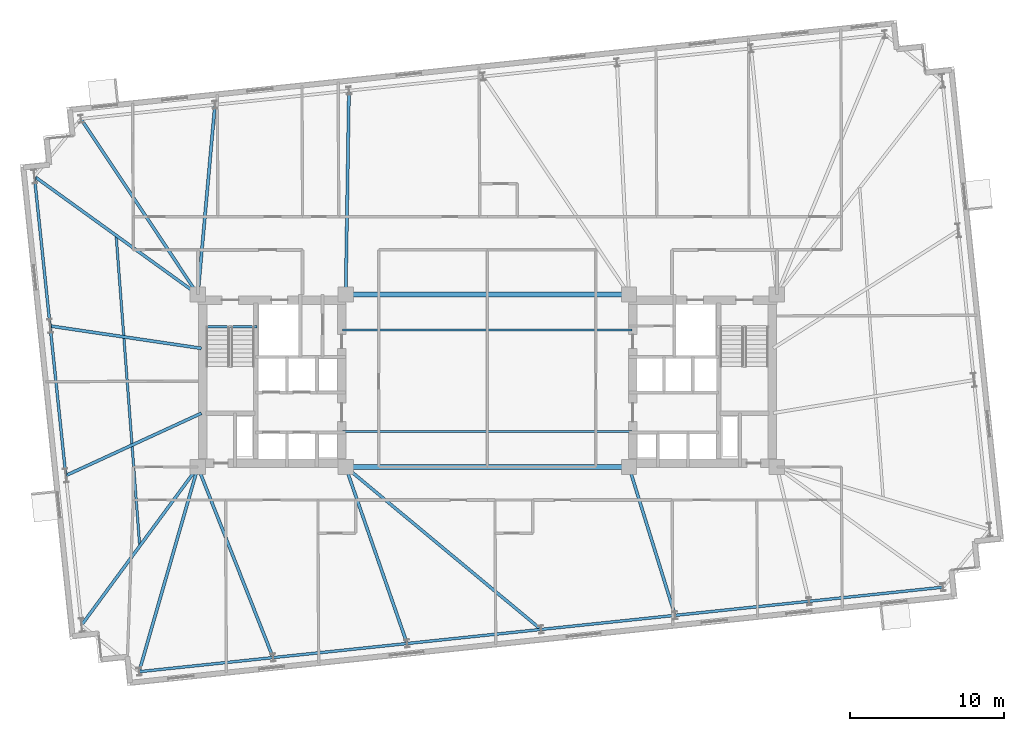
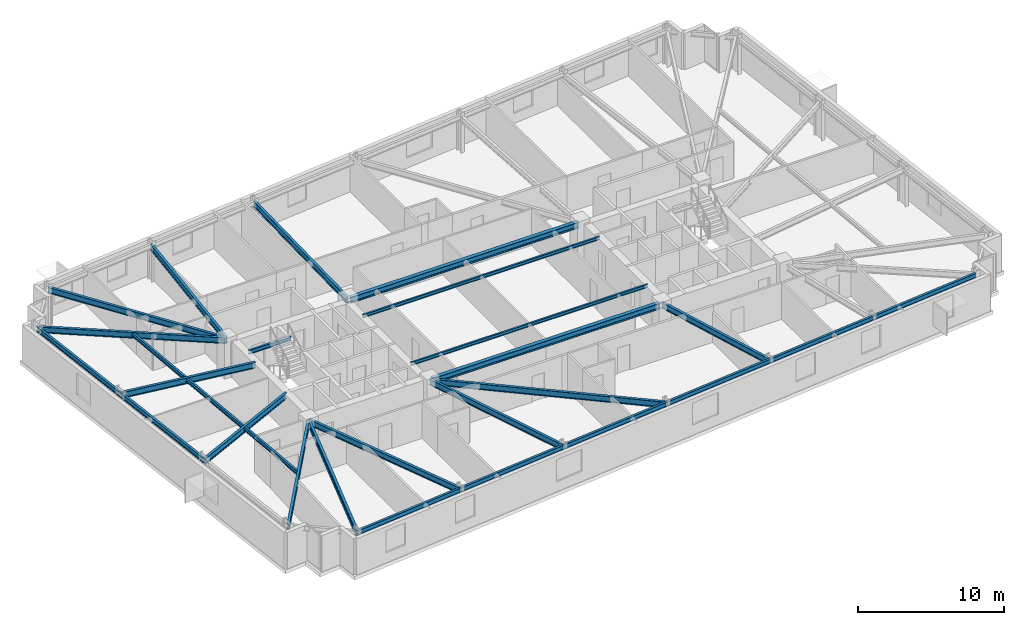
# One storey, part 5 of 17: 26 beams.
"""IFC4 building model written with IfcOpenShell, lengths in metres."""

from ifc_helpers import new_model, si_unit, direction, frame, origin, origin_2d, place, context, subcontext, project, spatial, i_section, extrude, material, material_profile, profile_set, type_object, element, save


model = new_model("IFC4")

# Units and contexts
model_context = context("Model", 3, precision=1e-05, world=origin(), true_north=direction((0.0, 1.0)))
body_context = subcontext(model_context, "Body", "Model", "MODEL_VIEW")
ifc_project = project(units=[si_unit("LENGTHUNIT", "METRE"), si_unit("AREAUNIT", "SQUARE_METRE"), si_unit("VOLUMEUNIT", "CUBIC_METRE"), si_unit("PLANEANGLEUNIT", "RADIAN"), si_unit("MASSUNIT", "GRAM", prefix="KILO")], contexts=[model_context])

# Site, building, storey
site_placement = place(None, origin())
site = spatial("IfcSite", under=ifc_project, at=site_placement, CompositionType="ELEMENT")
building_placement = place(site_placement, origin())
building = spatial("IfcBuilding", under=site, at=building_placement, Name="Qobustan Lattice House", CompositionType="ELEMENT")
storey_placement = place(building_placement, frame((0.0, 0.0, 112.5)))
storey = spatial("IfcBuildingStorey", under=building, at=storey_placement, Name="L31", CompositionType="ELEMENT", Elevation=112.5)

# Beams
ifc_material_1 = material(Name="Steel S355", Category="steel")
ifc_material_profile_1 = material_profile(ifc_material_1, i_section(OverallWidth=0.300048828125, OverallDepth=0.5, WebThickness=0.014404296875, FlangeThickness=0.028076171875, FilletRadius=0.027099609375, at=origin_2d()), Name="HEB500")
ifc_profile_set_1 = profile_set([ifc_material_profile_1], Name="Steel S355")
beam_type_1 = type_object("IfcBeamType", Name="BM-CG-HEB500", PredefinedType="USERDEFINED", material=ifc_profile_set_1)
for number, where, z_axis, x_axis, name in (
    (1, (-9.050048828125, -5.60009765625, 2.794921875), (1.0, 0.0, 0.0), (0.0, 1.0, 0.0), "L31 core spine girder CG-CS"),
    (2, (-9.050048828125, 5.60009765625, 2.794921875), (1.0, 0.0, 0.0), (0.0, 1.0, 0.0), "L31 core spine girder CG-CN"),
):
    element("IfcBeam", number, at=place(storey_placement, frame(where, z_axis=z_axis, x_axis=x_axis)), inside=storey, type_object=beam_type_1, Name=name, ObjectType="GIRDER", PredefinedType="USERDEFINED", context=body_context, shape_type="SweptSolid", body=[
        extrude(i_section(OverallWidth=0.300048828125, OverallDepth=0.5, WebThickness=0.014404296875, FlangeThickness=0.028076171875, FilletRadius=0.027099609375, at=origin_2d()), origin(), (0.0, 0.0, 1.0), 18.10009765625),
    ])
ifc_material_2 = material(Name="Steel S355", Category="steel")
ifc_material_profile_2 = material_profile(ifc_material_2, i_section(OverallWidth=0.199951171875, OverallDepth=0.5, WebThickness=0.01025390625, FlangeThickness=0.01611328125, FilletRadius=0.02099609375, at=origin_2d()), Name="IPE500")
ifc_profile_set_2 = profile_set([ifc_material_profile_2], Name="Steel S355")
beam_type_2 = type_object("IfcBeamType", Name="BM-FLG-IPE500", PredefinedType="USERDEFINED", material=ifc_profile_set_2)
beam_1_placement = place(storey_placement, frame((-22.612548828125, -18.87109375, 2.794921875), z_axis=(0.276115177845, 0.961124554136, 0.0), x_axis=(-0.961124554136, 0.276115177845, 0.0)))
element("IfcBeam", 3, at=beam_1_placement, inside=storey, type_object=beam_type_2, Name="L31 primary floor girder RAD-S1W", ObjectType="GIRDER", PredefinedType="USERDEFINED", context=body_context, shape_type="SweptSolid", body=[
    extrude(i_section(OverallWidth=0.199951171875, OverallDepth=0.5, WebThickness=0.01025390625, FlangeThickness=0.01611328125, FilletRadius=0.02099609375, at=origin_2d()), origin(), (0.0, 0.0, 1.0), 13.782958984375),
])
beam_2_placement = place(storey_placement, frame((-13.926513671875, -17.95703125, 2.794921875), z_axis=(-0.366884358141, 0.930266557365, 0.0), x_axis=(-0.930266557365, -0.366884358141, 0.0)))
element("IfcBeam", 4, at=beam_2_placement, inside=storey, type_object=beam_type_2, Name="L31 primary floor girder RAD-S2", ObjectType="GIRDER", PredefinedType="USERDEFINED", context=body_context, shape_type="SweptSolid", body=[
    extrude(i_section(OverallWidth=0.199951171875, OverallDepth=0.5, WebThickness=0.01025390625, FlangeThickness=0.01611328125, FilletRadius=0.02099609375, at=origin_2d()), origin(), (0.0, 0.0, 1.0), 13.25830078125),
])
beam_3_placement = place(storey_placement, frame((-5.223388671875, -17.0419921875, 2.794921875), z_axis=(-0.328289533586, 0.94457714462, 0.0), x_axis=(-0.94457714462, -0.328289533586, 0.0)))
element("IfcBeam", 5, at=beam_3_placement, inside=storey, type_object=beam_type_2, Name="L31 primary floor girder RAD-S3", ObjectType="GIRDER", PredefinedType="USERDEFINED", context=body_context, shape_type="SweptSolid", body=[
    extrude(i_section(OverallWidth=0.199951171875, OverallDepth=0.5, WebThickness=0.01025390625, FlangeThickness=0.01611328125, FilletRadius=0.02099609375, at=origin_2d()), origin(), (0.0, 0.0, 1.0), 12.08837890625),
])
beam_4_placement = place(storey_placement, frame((3.467529296875, -16.135009765625, 2.794921875), z_axis=(-0.768858311844, 0.639419186691, 0.0), x_axis=(-0.639419186691, -0.768858311844, 0.0)))
element("IfcBeam", 6, at=beam_4_placement, inside=storey, type_object=beam_type_2, Name="L31 primary floor girder RAD-S4", ObjectType="GIRDER", PredefinedType="USERDEFINED", context=body_context, shape_type="SweptSolid", body=[
    extrude(i_section(OverallWidth=0.199951171875, OverallDepth=0.5, WebThickness=0.01025390625, FlangeThickness=0.01611328125, FilletRadius=0.02099609375, at=origin_2d()), origin(), (0.0, 0.0, 1.0), 16.450927734375),
])
beam_5_placement = place(storey_placement, frame((12.181396484375, -15.212646484375, 2.794921875), z_axis=(-0.296219460995, 0.955119903953, 0.0), x_axis=(-0.955119903953, -0.296219460995, 0.0)))
element("IfcBeam", 7, at=beam_5_placement, inside=storey, type_object=beam_type_2, Name="L31 primary floor girder RAD-S5", ObjectType="GIRDER", PredefinedType="USERDEFINED", context=body_context, shape_type="SweptSolid", body=[
    extrude(i_section(OverallWidth=0.199951171875, OverallDepth=0.5, WebThickness=0.01025390625, FlangeThickness=0.01611328125, FilletRadius=0.02099609375, at=origin_2d()), origin(), (0.0, 0.0, 1.0), 10.03955078125),
])
beam_6_placement = place(storey_placement, frame((-26.37890625, 16.986328125, 2.794921875), z_axis=(0.5540893103, -0.832457227857, 0.0), x_axis=(0.832457227857, 0.5540893103, 0.0)))
element("IfcBeam", 8, at=beam_6_placement, inside=storey, type_object=beam_type_2, Name="L31 primary floor girder RAD-N7W", ObjectType="GIRDER", PredefinedType="USERDEFINED", context=body_context, shape_type="SweptSolid", body=[
    extrude(i_section(OverallWidth=0.199951171875, OverallDepth=0.5, WebThickness=0.01025390625, FlangeThickness=0.01611328125, FilletRadius=0.02099609375, at=origin_2d()), origin(), (0.0, 0.0, 1.0), 13.65283203125),
])
beam_7_placement = place(storey_placement, frame((-17.693115234375, 17.89697265625, 2.794921875), z_axis=(-0.089658533603, -0.995972563554, 0.0), x_axis=(0.995972563554, -0.089658533603, 0.0)))
element("IfcBeam", 9, at=beam_7_placement, inside=storey, type_object=beam_type_2, Name="L31 primary floor girder RAD-N6", ObjectType="GIRDER", PredefinedType="USERDEFINED", context=body_context, shape_type="SweptSolid", body=[
    extrude(i_section(OverallWidth=0.199951171875, OverallDepth=0.5, WebThickness=0.01025390625, FlangeThickness=0.01611328125, FilletRadius=0.02099609375, at=origin_2d()), origin(), (0.0, 0.0, 1.0), 12.321533203125),
])
beam_8_placement = place(storey_placement, frame((-8.9892578125, 18.8115234375, 2.794921875), z_axis=(-0.015957384359, -0.999872672836, 0.0), x_axis=(0.999872672836, -0.015957384359, 0.0)))
element("IfcBeam", 10, at=beam_8_placement, inside=storey, type_object=beam_type_2, Name="L31 primary floor girder RAD-N5", ObjectType="GIRDER", PredefinedType="USERDEFINED", context=body_context, shape_type="SweptSolid", body=[
    extrude(i_section(OverallWidth=0.199951171875, OverallDepth=0.5, WebThickness=0.01025390625, FlangeThickness=0.01611328125, FilletRadius=0.02099609375, at=origin_2d()), origin(), (0.0, 0.0, 1.0), 13.188232421875),
])
beam_9_placement = place(storey_placement, frame((-29.398681640625, 13.255859375, 2.794921875), z_axis=(0.810627425394, -0.585562274399, 0.0), x_axis=(0.585562274399, 0.810627425394, 0.0)))
element("IfcBeam", 11, at=beam_9_placement, inside=storey, type_object=beam_type_2, Name="L31 primary floor girder RAD-W1", ObjectType="GIRDER", PredefinedType="USERDEFINED", context=body_context, shape_type="SweptSolid", body=[
    extrude(i_section(OverallWidth=0.199951171875, OverallDepth=0.5, WebThickness=0.01025390625, FlangeThickness=0.01611328125, FilletRadius=0.02099609375, at=origin_2d()), origin(), (0.0, 0.0, 1.0), 13.049560546875),
])
beam_10_placement = place(storey_placement, frame((-28.373291015625, 3.5537109375, 2.794921875), z_axis=(0.989228195022, -0.146381618294, 0.0), x_axis=(0.146381618294, 0.989228195022, 0.0)))
element("IfcBeam", 12, at=beam_10_placement, inside=storey, type_object=beam_type_2, Name="L31 primary floor girder RAD-W2", ObjectType="GIRDER", PredefinedType="USERDEFINED", context=body_context, shape_type="SweptSolid", body=[
    extrude(i_section(OverallWidth=0.199951171875, OverallDepth=0.5, WebThickness=0.01025390625, FlangeThickness=0.01611328125, FilletRadius=0.02099609375, at=origin_2d()), origin(), (0.0, 0.0, 1.0), 9.9052734375),
])
beam_11_placement = place(storey_placement, frame((-27.3544921875, -6.1455078125, 2.794921875), z_axis=(0.908664928826, 0.417526103521, 0.0), x_axis=(-0.417526103521, 0.908664928826, 0.0)))
element("IfcBeam", 13, at=beam_11_placement, inside=storey, type_object=beam_type_2, Name="L31 primary floor girder RAD-W3", ObjectType="GIRDER", PredefinedType="USERDEFINED", context=body_context, shape_type="SweptSolid", body=[
    extrude(i_section(OverallWidth=0.199951171875, OverallDepth=0.5, WebThickness=0.01025390625, FlangeThickness=0.01611328125, FilletRadius=0.02099609375, at=origin_2d()), origin(), (0.0, 0.0, 1.0), 9.66455078125),
])
beam_12_placement = place(storey_placement, frame((-26.34130859375, -15.848876953125, 2.794921875), z_axis=(0.592669703312, 0.805445605101, 0.0), x_axis=(-0.805445605101, 0.592669703312, 0.0)))
element("IfcBeam", 14, at=beam_12_placement, inside=storey, type_object=beam_type_2, Name="L31 primary floor girder RAD-W4", ObjectType="GIRDER", PredefinedType="USERDEFINED", context=body_context, shape_type="SweptSolid", body=[
    extrude(i_section(OverallWidth=0.199951171875, OverallDepth=0.5, WebThickness=0.01025390625, FlangeThickness=0.01611328125, FilletRadius=0.02099609375, at=origin_2d()), origin(), (0.0, 0.0, 1.0), 12.699462890625),
])
ifc_material_3 = material(Name="Steel S355", Category="steel")
ifc_material_profile_3 = material_profile(ifc_material_3, i_section(OverallWidth=0.135009765625, OverallDepth=0.27001953125, WebThickness=0.006591796875, FlangeThickness=0.01025390625, FilletRadius=0.014892578125, at=origin_2d()), Name="IPE270")
ifc_profile_set_3 = profile_set([ifc_material_profile_3], Name="Steel S355")
beam_type_3 = type_object("IfcBeamType", Name="BM-JST-IPE270", PredefinedType="JOIST", material=ifc_profile_set_3)
for number, where, z_axis, x_axis, name in (
    (15, (-9.39990234375, -3.300048828125, 2.909912109375), (1.0, 0.0, 0.0), (0.0, 1.0, 0.0), "L31 central span floor joist 1"),
    (16, (-9.39990234375, 3.300048828125, 2.909912109375), (1.0, 0.0, 0.0), (0.0, 1.0, 0.0), "L31 central span floor joist 2"),
):
    element("IfcBeam", number, at=place(storey_placement, frame(where, z_axis=z_axis, x_axis=x_axis)), inside=storey, type_object=beam_type_3, Name=name, PredefinedType="JOIST", context=body_context, shape_type="SweptSolid", body=[
        extrude(i_section(OverallWidth=0.135009765625, OverallDepth=0.27001953125, WebThickness=0.006591796875, FlangeThickness=0.01025390625, FilletRadius=0.014892578125, at=origin_2d()), origin(), (0.0, 0.0, 1.0), 18.7998046875),
    ])
ifc_material_4 = material(Name="Steel S355", Category="steel")
ifc_material_profile_4 = material_profile(ifc_material_4, i_section(OverallWidth=0.159912109375, OverallDepth=0.330078125, WebThickness=0.007568359375, FlangeThickness=0.011474609375, FilletRadius=0.01806640625, at=origin_2d()), Name="IPE330")
ifc_profile_set_4 = profile_set([ifc_material_profile_4], Name="Steel S355")
beam_type_4 = type_object("IfcBeamType", Name="BM-SEC-IPE330", PredefinedType="BEAM", material=ifc_profile_set_4)
beam_13_placement = place(storey_placement, frame((-24.109619140625, 9.435302734375, 2.8798828125), z_axis=(0.07571166528, -0.997129752711, 0.0), x_axis=(0.997129752711, 0.07571166528, 0.0)))
element("IfcBeam", 17, at=beam_13_placement, inside=storey, type_object=beam_type_4, Name="L31 west wing secondary beam", PredefinedType="BEAM", context=body_context, shape_type="SweptSolid", body=[
    extrude(i_section(OverallWidth=0.159912109375, OverallDepth=0.330078125, WebThickness=0.007568359375, FlangeThickness=0.011474609375, FilletRadius=0.01806640625, at=origin_2d()), origin(), (0.0, 0.0, 1.0), 20.22802734375),
])
ifc_material_5 = material(Name="Steel S355", Category="steel")
ifc_material_profile_5 = material_profile(ifc_material_5, i_section(OverallWidth=0.159912109375, OverallDepth=0.330078125, WebThickness=0.007568359375, FlangeThickness=0.011474609375, FilletRadius=0.01806640625, at=origin_2d()), Name="IPE330")
ifc_profile_set_5 = profile_set([ifc_material_profile_5], Name="Steel S355")
beam_type_5 = type_object("IfcBeamType", Name="BM-SPD-IPE330", PredefinedType="SPANDREL", material=ifc_profile_set_5)
beam_14_placement = place(storey_placement, frame((-18.300048828125, 3.52001953125, 2.8798828125), z_axis=(1.0, 0.0, 0.0), x_axis=(0.0, 1.0, 0.0)))
element("IfcBeam", 18, at=beam_14_placement, inside=storey, type_object=beam_type_5, Name="L31 west stair landing trimmer beam", PredefinedType="SPANDREL", context=body_context, shape_type="SweptSolid", body=[
    extrude(i_section(OverallWidth=0.159912109375, OverallDepth=0.330078125, WebThickness=0.007568359375, FlangeThickness=0.011474609375, FilletRadius=0.01806640625, at=origin_2d()), origin(), (0.0, 0.0, 1.0), 3.35009765625),
])
ifc_material_6 = material(Name="Steel S355", Category="steel")
ifc_material_profile_6 = material_profile(ifc_material_6, i_section(OverallWidth=0.179931640625, OverallDepth=0.39990234375, WebThickness=0.008544921875, FlangeThickness=0.013427734375, FilletRadius=0.02099609375, at=origin_2d()), Name="IPE400")
ifc_profile_set_6 = profile_set([ifc_material_profile_6], Name="Steel S355")
beam_type_6 = type_object("IfcBeamType", Name="BM-SPD-IPE400", PredefinedType="SPANDREL", material=ifc_profile_set_6)
beam_15_placement = place(storey_placement, frame((-22.594482421875, -18.892333984375, 2.844970703125), z_axis=(0.994521279781, 0.10453432002, 0.0), x_axis=(-0.10453432002, 0.994521279781, 0.0)))
element("IfcBeam", 19, at=beam_15_placement, inside=storey, type_object=beam_type_6, Name="L31 perimeter spandrel S1-S2", PredefinedType="SPANDREL", context=body_context, shape_type="SweptSolid", body=[
    extrude(i_section(OverallWidth=0.179931640625, OverallDepth=0.39990234375, WebThickness=0.008544921875, FlangeThickness=0.013427734375, FilletRadius=0.02099609375, at=origin_2d()), origin(), (0.0, 0.0, 1.0), 8.69970703125),
])
for number, where, z_axis, x_axis, name in (
    (20, (-13.892578125, -17.977783203125, 2.844970703125), (0.994521586424, 0.104531402636, 0.0), (-0.104531402636, 0.994521586424, 0.0), "L31 perimeter spandrel S2-S3"),
    (21, (-5.1904296875, -17.06298828125, 2.844970703125), (0.994524503348, 0.104503647022, 0.0), (-0.104503647022, 0.994524503348, 0.0), "L31 perimeter spandrel S3-S4"),
):
    element("IfcBeam", number, at=place(storey_placement, frame(where, z_axis=z_axis, x_axis=x_axis)), inside=storey, type_object=beam_type_6, Name=name, PredefinedType="SPANDREL", context=body_context, shape_type="SweptSolid", body=[
        extrude(i_section(OverallWidth=0.179931640625, OverallDepth=0.39990234375, WebThickness=0.008544921875, FlangeThickness=0.013427734375, FilletRadius=0.02099609375, at=origin_2d()), origin(), (0.0, 0.0, 1.0), 8.699951171875),
    ])
beam_16_placement = place(storey_placement, frame((3.51171875, -16.1484375, 2.844970703125), z_axis=(0.994521279781, 0.10453432002, 0.0), x_axis=(-0.10453432002, 0.994521279781, 0.0)))
element("IfcBeam", 22, at=beam_16_placement, inside=storey, type_object=beam_type_6, Name="L31 perimeter spandrel S4-S5", PredefinedType="SPANDREL", context=body_context, shape_type="SweptSolid", body=[
    extrude(i_section(OverallWidth=0.179931640625, OverallDepth=0.39990234375, WebThickness=0.008544921875, FlangeThickness=0.013427734375, FilletRadius=0.02099609375, at=origin_2d()), origin(), (0.0, 0.0, 1.0), 8.69970703125),
])
for number, where, z_axis, x_axis, name in (
    (23, (12.213623046875, -15.23388671875, 2.844970703125), (0.994521586424, 0.104531402636, 0.0), (-0.104531402636, 0.994521586424, 0.0), "L31 perimeter spandrel S5-S6"),
    (24, (20.915771484375, -14.3193359375, 2.844970703125), (0.994521586424, 0.104531402636, 0.0), (-0.104531402636, 0.994521586424, 0.0), "L31 perimeter spandrel S6-S7"),
):
    element("IfcBeam", number, at=place(storey_placement, frame(where, z_axis=z_axis, x_axis=x_axis)), inside=storey, type_object=beam_type_6, Name=name, PredefinedType="SPANDREL", context=body_context, shape_type="SweptSolid", body=[
        extrude(i_section(OverallWidth=0.179931640625, OverallDepth=0.39990234375, WebThickness=0.008544921875, FlangeThickness=0.013427734375, FilletRadius=0.02099609375, at=origin_2d()), origin(), (0.0, 0.0, 1.0), 8.699951171875),
    ])
beam_17_placement = place(storey_placement, frame((-29.416259765625, 13.24560546875, 2.844970703125), z_axis=(0.104525214252, -0.994522236848, 0.0), x_axis=(0.994522236848, 0.104525214252, 0.0)))
element("IfcBeam", 25, at=beam_17_placement, inside=storey, type_object=beam_type_6, Name="L31 perimeter spandrel W1-W2", PredefinedType="SPANDREL", context=body_context, shape_type="SweptSolid", body=[
    extrude(i_section(OverallWidth=0.179931640625, OverallDepth=0.39990234375, WebThickness=0.008544921875, FlangeThickness=0.013427734375, FilletRadius=0.02099609375, at=origin_2d()), origin(), (0.0, 0.0, 1.0), 9.716552734375),
])
beam_18_placement = place(storey_placement, frame((-28.3955078125, 3.532470703125, 2.844970703125), z_axis=(0.104547453407, -0.994519899241, 0.0), x_axis=(0.994519899241, 0.104547453407, 0.0)))
element("IfcBeam", 26, at=beam_18_placement, inside=storey, type_object=beam_type_6, Name="L31 perimeter spandrel W2-W3", PredefinedType="SPANDREL", context=body_context, shape_type="SweptSolid", body=[
    extrude(i_section(OverallWidth=0.179931640625, OverallDepth=0.39990234375, WebThickness=0.008544921875, FlangeThickness=0.013427734375, FilletRadius=0.02099609375, at=origin_2d()), origin(), (0.0, 0.0, 1.0), 9.716796875),
])

save(model, "model.ifc")
